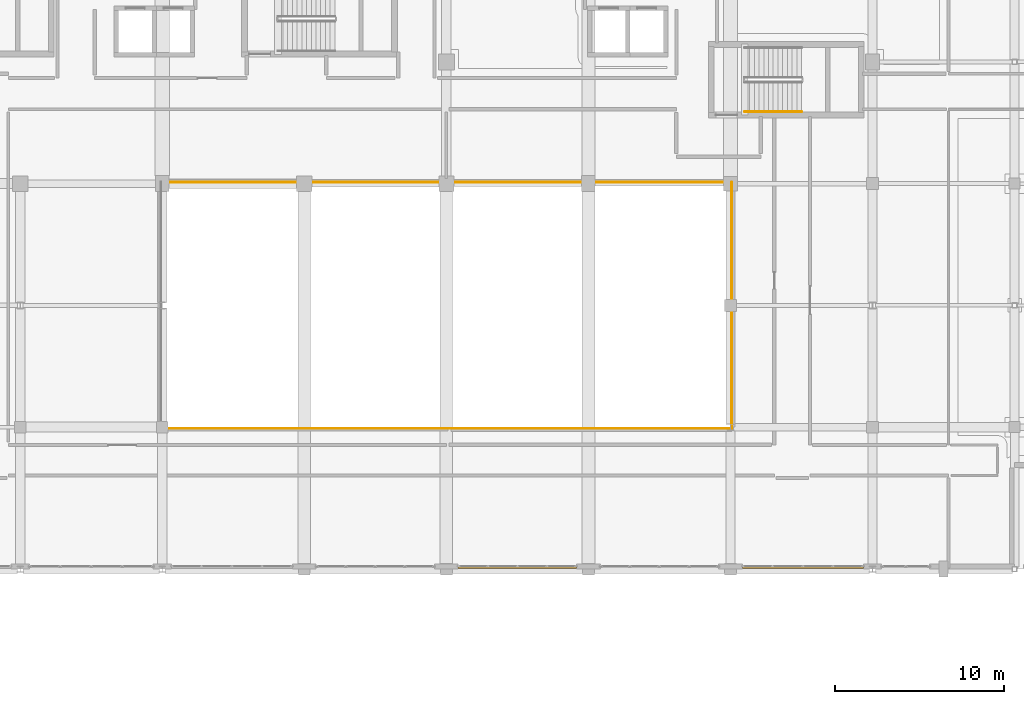
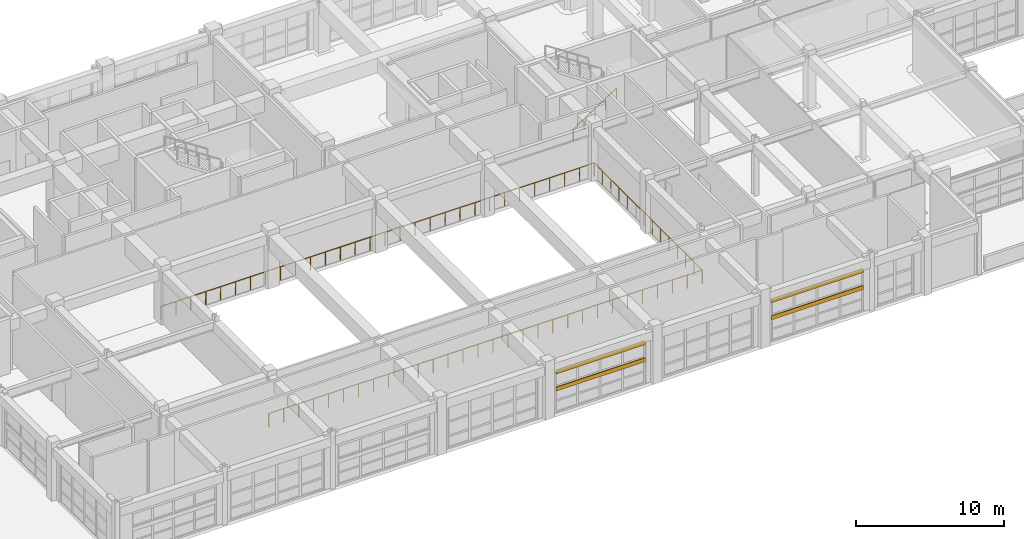
# One storey, part 119 of 123: 4 railings, 4 shading devices.
"""IFC4 building model written with IfcOpenShell, lengths in metres."""

from ifc_helpers import new_model, si_unit, direction, frame, origin, origin_2d, place, context, subcontext, project, spatial, hollow_rectangle, circle, extrude, material, material_profile, profile_set, type_object, element, save


model = new_model("IFC4")

# Units and contexts
model_context = context("Model", 3, precision=1e-05, world=origin(), true_north=direction((0.0, 1.0)))
body_context = subcontext(model_context, "Body", "Model", "MODEL_VIEW")
ifc_project = project(units=[si_unit("LENGTHUNIT", "METRE"), si_unit("AREAUNIT", "SQUARE_METRE"), si_unit("VOLUMEUNIT", "CUBIC_METRE"), si_unit("PLANEANGLEUNIT", "RADIAN"), si_unit("MASSUNIT", "GRAM", prefix="KILO")], contexts=[model_context])

# Site, building, storey
site_placement = place(None, origin())
site = spatial("IfcSite", under=ifc_project, at=site_placement, CompositionType="ELEMENT")
building_placement = place(site_placement, origin())
building = spatial("IfcBuilding", under=site, at=building_placement, Name="Quendrovan Civic Courthouse", CompositionType="ELEMENT")
storey_placement = place(building_placement, frame((0.0, 0.0, 5.39990234375)))
storey = spatial("IfcBuildingStorey", under=building, at=storey_placement, Name="L02", CompositionType="ELEMENT", Elevation=5.39990234375)

# Railings
ifc_material = material(Name="Bronze anodised aluminium", Category="aluminium")
railing_type_1 = type_object("IfcRailingType", Name="RL-ATR-GUARD1100", PredefinedType="GUARDRAIL", material=ifc_material)
railing_1_placement = place(storey_placement, frame((50.320068359375, 73.1201171875, 0.0)))
element("IfcRailing", 1, at=railing_1_placement, inside=storey, type_object=railing_type_1, Name="L02 Atrium and Well Perimeter Guardrail 016", PredefinedType="GUARDRAIL", context=body_context, shape_type="SweptSolid", body=[
    extrude(circle(Radius=0.02392578125, at=origin_2d()), frame((0.0, 0.0, 1.09619140625), z_axis=(1.0, 0.0, 0.0), x_axis=(0.0, 1.0, 0.0)), (0.0, 0.0, 1.0), 33.760009765625),
    extrude(circle(Radius=0.02099609375, at=origin_2d()), origin(), (0.0, 0.0, 1.0), 1.072021484375),
    extrude(circle(Radius=0.02099609375, at=origin_2d()), frame((1.1640625, 0.0, 0.0)), (0.0, 0.0, 1.0), 1.072021484375),
    extrude(circle(Radius=0.02099609375, at=origin_2d()), frame((2.328369140625, 0.0, 0.0)), (0.0, 0.0, 1.0), 1.072021484375),
    extrude(circle(Radius=0.02099609375, at=origin_2d()), frame((3.492431640625, 0.0, 0.0)), (0.0, 0.0, 1.0), 1.072021484375),
    extrude(circle(Radius=0.02099609375, at=origin_2d()), frame((4.656494140625, 0.0, 0.0)), (0.0, 0.0, 1.0), 1.072021484375),
    extrude(circle(Radius=0.02099609375, at=origin_2d()), frame((5.82080078125, 0.0, 0.0)), (0.0, 0.0, 1.0), 1.072021484375),
    extrude(circle(Radius=0.02099609375, at=origin_2d()), frame((6.98486328125, 0.0, 0.0)), (0.0, 0.0, 1.0), 1.072021484375),
    extrude(circle(Radius=0.02099609375, at=origin_2d()), frame((8.14892578125, 0.0, 0.0)), (0.0, 0.0, 1.0), 1.072021484375),
    extrude(circle(Radius=0.02099609375, at=origin_2d()), frame((9.31298828125, 0.0, 0.0)), (0.0, 0.0, 1.0), 1.072021484375),
    extrude(circle(Radius=0.02099609375, at=origin_2d()), frame((10.477294921875, 0.0, 0.0)), (0.0, 0.0, 1.0), 1.072021484375),
    extrude(circle(Radius=0.02099609375, at=origin_2d()), frame((11.641357421875, 0.0, 0.0)), (0.0, 0.0, 1.0), 1.072021484375),
    extrude(circle(Radius=0.02099609375, at=origin_2d()), frame((12.805419921875, 0.0, 0.0)), (0.0, 0.0, 1.0), 1.072021484375),
    extrude(circle(Radius=0.02099609375, at=origin_2d()), frame((13.9697265625, 0.0, 0.0)), (0.0, 0.0, 1.0), 1.072021484375),
    extrude(circle(Radius=0.02099609375, at=origin_2d()), frame((15.1337890625, 0.0, 0.0)), (0.0, 0.0, 1.0), 1.072021484375),
    extrude(circle(Radius=0.02099609375, at=origin_2d()), frame((16.2978515625, 0.0, 0.0)), (0.0, 0.0, 1.0), 1.072021484375),
    extrude(circle(Radius=0.02099609375, at=origin_2d()), frame((17.462158203125, 0.0, 0.0)), (0.0, 0.0, 1.0), 1.072021484375),
    extrude(circle(Radius=0.02099609375, at=origin_2d()), frame((18.626220703125, 0.0, 0.0)), (0.0, 0.0, 1.0), 1.072021484375),
    extrude(circle(Radius=0.02099609375, at=origin_2d()), frame((19.790283203125, 0.0, 0.0)), (0.0, 0.0, 1.0), 1.072021484375),
    extrude(circle(Radius=0.02099609375, at=origin_2d()), frame((20.95458984375, 0.0, 0.0)), (0.0, 0.0, 1.0), 1.072021484375),
    extrude(circle(Radius=0.02099609375, at=origin_2d()), frame((22.11865234375, 0.0, 0.0)), (0.0, 0.0, 1.0), 1.072021484375),
    extrude(circle(Radius=0.02099609375, at=origin_2d()), frame((23.28271484375, 0.0, 0.0)), (0.0, 0.0, 1.0), 1.072021484375),
    extrude(circle(Radius=0.02099609375, at=origin_2d()), frame((24.447021484375, 0.0, 0.0)), (0.0, 0.0, 1.0), 1.072021484375),
    extrude(circle(Radius=0.02099609375, at=origin_2d()), frame((25.611083984375, 0.0, 0.0)), (0.0, 0.0, 1.0), 1.072021484375),
    extrude(circle(Radius=0.02099609375, at=origin_2d()), frame((26.775146484375, 0.0, 0.0)), (0.0, 0.0, 1.0), 1.072021484375),
    extrude(circle(Radius=0.02099609375, at=origin_2d()), frame((27.939208984375, 0.0, 0.0)), (0.0, 0.0, 1.0), 1.072021484375),
    extrude(circle(Radius=0.02099609375, at=origin_2d()), frame((29.103515625, 0.0, 0.0)), (0.0, 0.0, 1.0), 1.072021484375),
    extrude(circle(Radius=0.02099609375, at=origin_2d()), frame((30.267578125, 0.0, 0.0)), (0.0, 0.0, 1.0), 1.072021484375),
    extrude(circle(Radius=0.02099609375, at=origin_2d()), frame((31.431640625, 0.0, 0.0)), (0.0, 0.0, 1.0), 1.072021484375),
    extrude(circle(Radius=0.02099609375, at=origin_2d()), frame((32.595947265625, 0.0, 0.0)), (0.0, 0.0, 1.0), 1.072021484375),
    extrude(circle(Radius=0.02099609375, at=origin_2d()), frame((33.760009765625, 0.0, 0.0)), (0.0, 0.0, 1.0), 1.072021484375),
])
railing_2_placement = place(storey_placement, frame((84.080078125, 73.1201171875, 0.0)))
element("IfcRailing", 2, at=railing_2_placement, inside=storey, type_object=railing_type_1, Name="L02 Atrium and Well Perimeter Guardrail 017", PredefinedType="GUARDRAIL", context=body_context, shape_type="SweptSolid", body=[
    extrude(circle(Radius=0.02392578125, at=origin_2d()), frame((0.0, 0.0, 1.09619140625), z_axis=(0.0, 1.0, 0.0), x_axis=(-1.0, 0.0, 0.0)), (0.0, 0.0, 1.0), 14.559814453125),
    extrude(circle(Radius=0.02099609375, at=origin_2d()), origin(), (0.0, 0.0, 1.0), 1.072021484375),
    extrude(circle(Radius=0.02099609375, at=origin_2d()), frame((0.0, 1.119873046875, 0.0)), (0.0, 0.0, 1.0), 1.072021484375),
    extrude(circle(Radius=0.02099609375, at=origin_2d()), frame((0.0, 2.239990234375, 0.0)), (0.0, 0.0, 1.0), 1.072021484375),
    extrude(circle(Radius=0.02099609375, at=origin_2d()), frame((0.0, 3.35986328125, 0.0)), (0.0, 0.0, 1.0), 1.072021484375),
    extrude(circle(Radius=0.02099609375, at=origin_2d()), frame((0.0, 4.47998046875, 0.0)), (0.0, 0.0, 1.0), 1.072021484375),
    extrude(circle(Radius=0.02099609375, at=origin_2d()), frame((0.0, 5.599853515625, 0.0)), (0.0, 0.0, 1.0), 1.072021484375),
    extrude(circle(Radius=0.02099609375, at=origin_2d()), frame((0.0, 6.719970703125, 0.0)), (0.0, 0.0, 1.0), 1.072021484375),
    extrude(circle(Radius=0.02099609375, at=origin_2d()), frame((0.0, 7.83984375, 0.0)), (0.0, 0.0, 1.0), 1.072021484375),
    extrude(circle(Radius=0.02099609375, at=origin_2d()), frame((0.0, 8.9599609375, 0.0)), (0.0, 0.0, 1.0), 1.072021484375),
    extrude(circle(Radius=0.02099609375, at=origin_2d()), frame((0.0, 10.079833984375, 0.0)), (0.0, 0.0, 1.0), 1.072021484375),
    extrude(circle(Radius=0.02099609375, at=origin_2d()), frame((0.0, 11.199951171875, 0.0)), (0.0, 0.0, 1.0), 1.072021484375),
    extrude(circle(Radius=0.02099609375, at=origin_2d()), frame((0.0, 12.31982421875, 0.0)), (0.0, 0.0, 1.0), 1.072021484375),
    extrude(circle(Radius=0.02099609375, at=origin_2d()), frame((0.0, 13.43994140625, 0.0)), (0.0, 0.0, 1.0), 1.072021484375),
    extrude(circle(Radius=0.02099609375, at=origin_2d()), frame((0.0, 14.559814453125, 0.0)), (0.0, 0.0, 1.0), 1.072021484375),
])
railing_3_placement = place(storey_placement, frame((84.080078125, 87.679931640625, 0.0)))
element("IfcRailing", 3, at=railing_3_placement, inside=storey, type_object=railing_type_1, Name="L02 Atrium and Well Perimeter Guardrail 018", PredefinedType="GUARDRAIL", context=body_context, shape_type="SweptSolid", body=[
    extrude(circle(Radius=0.02392578125, at=origin_2d()), frame((0.0, 0.0, 1.09619140625), z_axis=(-1.0, 0.0, 0.0), x_axis=(0.0, -1.0, 0.0)), (0.0, 0.0, 1.0), 33.760009765625),
    extrude(circle(Radius=0.02099609375, at=origin_2d()), origin(), (0.0, 0.0, 1.0), 1.072021484375),
    extrude(circle(Radius=0.02099609375, at=origin_2d()), frame((-1.1640625, 0.0, 0.0)), (0.0, 0.0, 1.0), 1.072021484375),
    extrude(circle(Radius=0.02099609375, at=origin_2d()), frame((-2.328369140625, 0.0, 0.0)), (0.0, 0.0, 1.0), 1.072021484375),
    extrude(circle(Radius=0.02099609375, at=origin_2d()), frame((-3.492431640625, 0.0, 0.0)), (0.0, 0.0, 1.0), 1.072021484375),
    extrude(circle(Radius=0.02099609375, at=origin_2d()), frame((-4.656494140625, 0.0, 0.0)), (0.0, 0.0, 1.0), 1.072021484375),
    extrude(circle(Radius=0.02099609375, at=origin_2d()), frame((-5.82080078125, 0.0, 0.0)), (0.0, 0.0, 1.0), 1.072021484375),
    extrude(circle(Radius=0.02099609375, at=origin_2d()), frame((-6.98486328125, 0.0, 0.0)), (0.0, 0.0, 1.0), 1.072021484375),
    extrude(circle(Radius=0.02099609375, at=origin_2d()), frame((-8.14892578125, 0.0, 0.0)), (0.0, 0.0, 1.0), 1.072021484375),
    extrude(circle(Radius=0.02099609375, at=origin_2d()), frame((-9.31298828125, 0.0, 0.0)), (0.0, 0.0, 1.0), 1.072021484375),
    extrude(circle(Radius=0.02099609375, at=origin_2d()), frame((-10.477294921875, 0.0, 0.0)), (0.0, 0.0, 1.0), 1.072021484375),
    extrude(circle(Radius=0.02099609375, at=origin_2d()), frame((-11.641357421875, 0.0, 0.0)), (0.0, 0.0, 1.0), 1.072021484375),
    extrude(circle(Radius=0.02099609375, at=origin_2d()), frame((-12.805419921875, 0.0, 0.0)), (0.0, 0.0, 1.0), 1.072021484375),
    extrude(circle(Radius=0.02099609375, at=origin_2d()), frame((-13.9697265625, 0.0, 0.0)), (0.0, 0.0, 1.0), 1.072021484375),
    extrude(circle(Radius=0.02099609375, at=origin_2d()), frame((-15.1337890625, 0.0, 0.0)), (0.0, 0.0, 1.0), 1.072021484375),
    extrude(circle(Radius=0.02099609375, at=origin_2d()), frame((-16.2978515625, 0.0, 0.0)), (0.0, 0.0, 1.0), 1.072021484375),
    extrude(circle(Radius=0.02099609375, at=origin_2d()), frame((-17.462158203125, 0.0, 0.0)), (0.0, 0.0, 1.0), 1.072021484375),
    extrude(circle(Radius=0.02099609375, at=origin_2d()), frame((-18.626220703125, 0.0, 0.0)), (0.0, 0.0, 1.0), 1.072021484375),
    extrude(circle(Radius=0.02099609375, at=origin_2d()), frame((-19.790283203125, 0.0, 0.0)), (0.0, 0.0, 1.0), 1.072021484375),
    extrude(circle(Radius=0.02099609375, at=origin_2d()), frame((-20.95458984375, 0.0, 0.0)), (0.0, 0.0, 1.0), 1.072021484375),
    extrude(circle(Radius=0.02099609375, at=origin_2d()), frame((-22.11865234375, 0.0, 0.0)), (0.0, 0.0, 1.0), 1.072021484375),
    extrude(circle(Radius=0.02099609375, at=origin_2d()), frame((-23.28271484375, 0.0, 0.0)), (0.0, 0.0, 1.0), 1.072021484375),
    extrude(circle(Radius=0.02099609375, at=origin_2d()), frame((-24.447021484375, 0.0, 0.0)), (0.0, 0.0, 1.0), 1.072021484375),
    extrude(circle(Radius=0.02099609375, at=origin_2d()), frame((-25.611083984375, 0.0, 0.0)), (0.0, 0.0, 1.0), 1.072021484375),
    extrude(circle(Radius=0.02099609375, at=origin_2d()), frame((-26.775146484375, 0.0, 0.0)), (0.0, 0.0, 1.0), 1.072021484375),
    extrude(circle(Radius=0.02099609375, at=origin_2d()), frame((-27.939208984375, 0.0, 0.0)), (0.0, 0.0, 1.0), 1.072021484375),
    extrude(circle(Radius=0.02099609375, at=origin_2d()), frame((-29.103515625, 0.0, 0.0)), (0.0, 0.0, 1.0), 1.072021484375),
    extrude(circle(Radius=0.02099609375, at=origin_2d()), frame((-30.267578125, 0.0, 0.0)), (0.0, 0.0, 1.0), 1.072021484375),
    extrude(circle(Radius=0.02099609375, at=origin_2d()), frame((-31.431640625, 0.0, 0.0)), (0.0, 0.0, 1.0), 1.072021484375),
    extrude(circle(Radius=0.02099609375, at=origin_2d()), frame((-32.595947265625, 0.0, 0.0)), (0.0, 0.0, 1.0), 1.072021484375),
    extrude(circle(Radius=0.02099609375, at=origin_2d()), frame((-33.760009765625, 0.0, 0.0)), (0.0, 0.0, 1.0), 1.072021484375),
])
railing_type_2 = type_object("IfcRailingType", Name="RL-STR-HAND900", PredefinedType="HANDRAIL", material=ifc_material)
railing_4_placement = place(storey_placement, frame((84.85009765625, 91.85009765625, 0.184814453125)))
element("IfcRailing", 4, at=railing_4_placement, inside=storey, type_object=railing_type_2, Name="L02 ST3 stair handrail 1", PredefinedType="HANDRAIL", context=body_context, shape_type="SweptSolid", body=[
    extrude(circle(Radius=0.02392578125, at=origin_2d()), frame((0.0, 0.0, 0.8759765625), z_axis=(0.834858096282, 0.0, 0.550465220583), x_axis=(0.0, 1.0, 0.0)), (0.0, 0.0, 1.0), 4.0244140625),
    extrude(circle(Radius=0.02099609375, at=origin_2d()), origin(), (0.0, 0.0, 1.0), 0.851806640625),
    extrude(circle(Radius=0.02099609375, at=origin_2d()), frame((0.83984375, 0.0, 0.5537109375)), (0.0, 0.0, 1.0), 0.851806640625),
    extrude(circle(Radius=0.02099609375, at=origin_2d()), frame((1.679931640625, 0.0, 1.107666015625)), (0.0, 0.0, 1.0), 0.851806640625),
    extrude(circle(Radius=0.02099609375, at=origin_2d()), frame((2.52001953125, 0.0, 1.66162109375)), (0.0, 0.0, 1.0), 0.851806640625),
    extrude(circle(Radius=0.02099609375, at=origin_2d()), frame((3.35986328125, 0.0, 2.21533203125)), (0.0, 0.0, 1.0), 0.851806640625),
])

# Shading devices
ifc_material_profile = material_profile(ifc_material, hollow_rectangle(XDim=0.06494140625, YDim=0.320068359375, WallThickness=0.0048828125, at=origin_2d()), Name="AL-LOUVRE-65x320")
ifc_profile_set = profile_set([ifc_material_profile], Name="Bronze anodised aluminium")
shading_device_type = type_object("IfcShadingDeviceType", Name="SHD-STORM-LOUVRE", PredefinedType="JALOUSIE", material=ifc_profile_set)
for number, where, z_axis, x_axis, name in (
    (5, (91.863037109375, 64.885009765625, 1.9501953125), (-1.0, 0.0, 0.0), (0.0, -1.0, 0.0), "L02 Bronze Hurricane Storm Louvre SLV-107"),
    (6, (91.863037109375, 64.885009765625, 3.35009765625), (-1.0, 0.0, 0.0), (0.0, -1.0, 0.0), "L02 Bronze Hurricane Storm Louvre SLV-108"),
):
    element("IfcShadingDevice", number, at=place(storey_placement, frame(where, z_axis=z_axis, x_axis=x_axis)), inside=storey, type_object=shading_device_type, Name=name, PredefinedType="JALOUSIE", context=body_context, shape_type="SweptSolid", body=[
        extrude(hollow_rectangle(XDim=0.06494140625, YDim=0.320068359375, WallThickness=0.0048828125, at=origin_2d()), origin(), (0.0, 0.0, 1.0), 7.1630859375),
    ])
for number, where, z_axis, x_axis, name in (
    (7, (74.89990234375, 64.885009765625, 1.9501953125), (-1.0, 0.0, 0.0), (0.0, -1.0, 0.0), "L02 Bronze Hurricane Storm Louvre SLV-109"),
    (8, (74.89990234375, 64.885009765625, 3.35009765625), (-1.0, 0.0, 0.0), (0.0, -1.0, 0.0), "L02 Bronze Hurricane Storm Louvre SLV-110"),
):
    element("IfcShadingDevice", number, at=place(storey_placement, frame(where, z_axis=z_axis, x_axis=x_axis)), inside=storey, type_object=shading_device_type, Name=name, PredefinedType="JALOUSIE", context=body_context, shape_type="SweptSolid", body=[
        extrude(hollow_rectangle(XDim=0.06494140625, YDim=0.320068359375, WallThickness=0.0048828125, at=origin_2d()), origin(), (0.0, 0.0, 1.0), 7.0),
    ])

save(model, "model.ifc")
